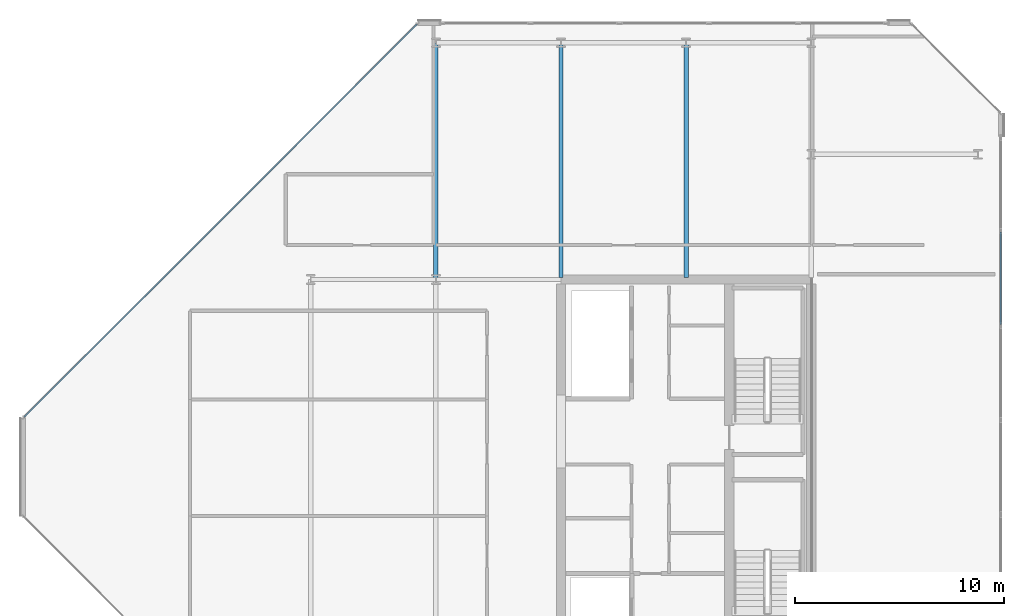
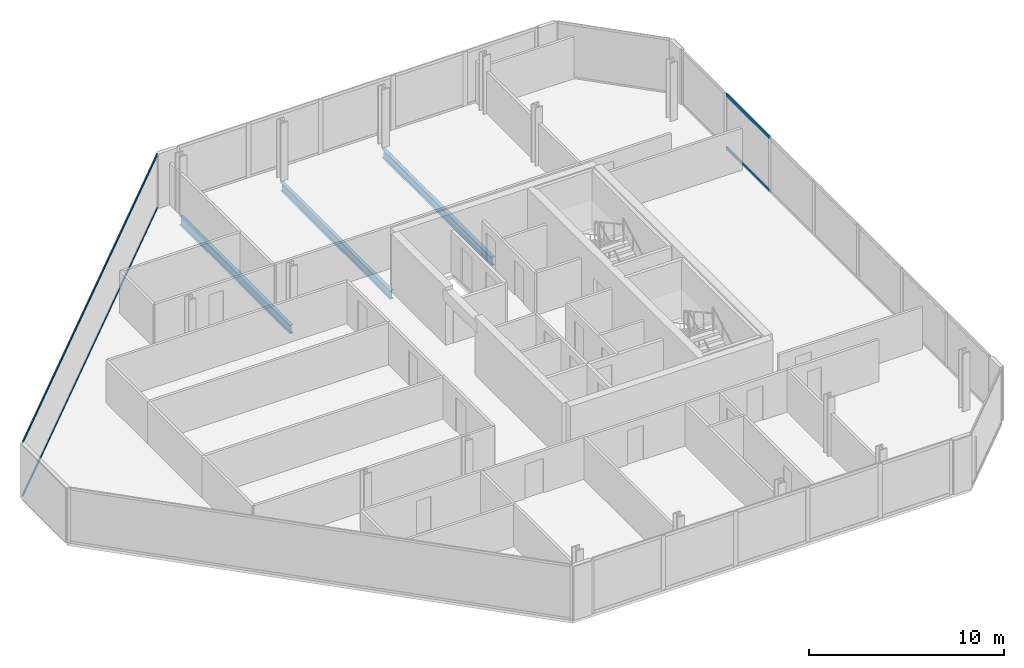
# One storey, part 9 of 17: 4 members, 3 beams, 2 elements without a shape of their own.
"""IFC4 building model written with IfcOpenShell, lengths in metres."""

from ifc_helpers import new_model, si_unit, direction, frame, origin, origin_2d, place, context, subcontext, project, spatial, hollow_rectangle, i_section, extrude, material, layer, layer_set, material_profile, profile_set, type_object, element, aggregate, save


model = new_model("IFC4")

# Units and contexts
model_context = context("Model", 3, precision=1e-05, world=origin(), true_north=direction((0.0, 1.0)))
body_context = subcontext(model_context, "Body", "Model", "MODEL_VIEW")
ifc_project = project(units=[si_unit("LENGTHUNIT", "METRE"), si_unit("AREAUNIT", "SQUARE_METRE"), si_unit("VOLUMEUNIT", "CUBIC_METRE"), si_unit("PLANEANGLEUNIT", "RADIAN"), si_unit("MASSUNIT", "GRAM", prefix="KILO")], contexts=[model_context])

# Site, building, storey
site_placement = place(None, origin())
site = spatial("IfcSite", under=ifc_project, at=site_placement, CompositionType="ELEMENT")
building_placement = place(site_placement, origin())
building = spatial("IfcBuilding", under=site, at=building_placement, Name="Tanjung Sevakor Pilgrim Tower", CompositionType="ELEMENT")
storey_placement = place(building_placement, frame((0.0, 0.0, 267.9599609375)))
storey = spatial("IfcBuildingStorey", under=building, at=storey_placement, Name="L75", CompositionType="ELEMENT", Elevation=267.9599609375)

# Beams
ifc_material_1 = material(Name="Steel S355J2", Category="steel")
ifc_material_profile_1 = material_profile(ifc_material_1, i_section(OverallWidth=0.210693359375, OverallDepth=0.53955078125, WebThickness=0.01171875, FlangeThickness=0.018798828125, FilletRadius=0.0126953125, at=origin_2d()))
ifc_profile_set_1 = profile_set([ifc_material_profile_1], Name="Steel S355J2")
beam_type = type_object("IfcBeamType", Name="BM-B-G6-UB_533x210x109", PredefinedType="BEAM", material=ifc_profile_set_1)
beam_placement = place(storey_placement, frame((72.0, 42.60009765625, -0.48974609375), z_axis=(0.0, 1.0, 0.0), x_axis=(-1.0, 0.0, 0.0)))
element("IfcBeam", 1, at=beam_placement, inside=storey, type_object=beam_type, Name="L75 EAST Girder 004", PredefinedType="BEAM", context=body_context, shape_type="SweptSolid", body=[
    extrude(i_section(OverallWidth=0.210693359375, OverallDepth=0.53955078125, WebThickness=0.01171875, FlangeThickness=0.018798828125, FilletRadius=0.0126953125, at=origin_2d()), origin(), (0.0, 0.0, 1.0), 11.349853515625),
])
for number, where, z_axis, x_axis, name in (
    (2, (78.0, 42.7060546875, -0.48974609375), (0.0, 1.0, 0.0), (-1.0, 0.0, 0.0), "L75 EAST Girder 006"),
    (3, (84.0, 42.7060546875, -0.48974609375), (0.0, 1.0, 0.0), (-1.0, 0.0, 0.0), "L75 EAST Girder 008"),
):
    element("IfcBeam", number, at=place(storey_placement, frame(where, z_axis=z_axis, x_axis=x_axis)), inside=storey, type_object=beam_type, Name=name, PredefinedType="BEAM", context=body_context, shape_type="SweptSolid", body=[
        extrude(i_section(OverallWidth=0.210693359375, OverallDepth=0.53955078125, WebThickness=0.01171875, FlangeThickness=0.018798828125, FilletRadius=0.0126953125, at=origin_2d()), origin(), (0.0, 0.0, 1.0), 11.243896484375),
    ])

# Curtain wall, members
ifc_material_2 = material(Name="Aluminium 6063-T6 and Low-E Glass", Category="aluminium")
ifc_layer_1 = layer(ifc_material_2, 0.179931640625)
ifc_layer_set_1 = layer_set([ifc_layer_1], Name="CW-SYS-CHAM")
curtain_wall_type_1 = type_object("IfcCurtainWallType", Name="CW-SYS-CHAM", PredefinedType="NOTDEFINED", material=ifc_layer_set_1)
curtain_wall_1_placement = place(storey_placement, origin())
curtain_wall_1 = element("IfcCurtainWall", 4, at=curtain_wall_1_placement, inside=storey, type_object=curtain_wall_type_1, Name="L75 Curtain Wall CW-CHM-L75-EAST-5", PredefinedType="NOTDEFINED")
ifc_material_3 = material(Name="Aluminium 6063-T6", Category="aluminium")
ifc_material_profile_2 = material_profile(ifc_material_3, hollow_rectangle(XDim=0.06494140625, YDim=0.139892578125, WallThickness=0.00390625, at=origin_2d()))
ifc_profile_set_2 = profile_set([ifc_material_profile_2], Name="Aluminium 6063-T6")
member_type_1 = type_object("IfcMemberType", Name="TYPE-CWT-1", PredefinedType="USERDEFINED", material=ifc_profile_set_2)
member_1_placement = place(storey_placement, frame((71.099609375, 54.843994140625, 0.032470703125), z_axis=(-0.707106781187, -0.707106781187, 0.0), x_axis=(0.707106781187, -0.707106781187, 0.0)))
member_1 = element("IfcMember", 5, at=member_1_placement, type_object=member_type_1, Name="CW-CHM transom 1.1", ObjectType="TRANSOM", PredefinedType="USERDEFINED", context=body_context, shape_type="SweptSolid", body=[
    extrude(hollow_rectangle(XDim=0.06494140625, YDim=0.139892578125, WallThickness=0.00390625, at=origin_2d()), origin(), (0.0, 0.0, 1.0), 26.649169921875),
])
member_2_placement = place(storey_placement, frame((71.099609375, 54.843994140625, 3.37744140625), z_axis=(-0.707106781187, -0.707106781187, 0.0), x_axis=(0.707106781187, -0.707106781187, 0.0)))
member_2 = element("IfcMember", 6, at=member_2_placement, type_object=member_type_1, Name="CW-CHM transom 1.2", ObjectType="TRANSOM", PredefinedType="USERDEFINED", context=body_context, shape_type="SweptSolid", body=[
    extrude(hollow_rectangle(XDim=0.06494140625, YDim=0.139892578125, WallThickness=0.00390625, at=origin_2d()), origin(), (0.0, 0.0, 1.0), 26.649169921875),
])
aggregate(curtain_wall_1, [member_1, member_2])

ifc_material_4 = material(Name="Aluminium 6063-T6 and Low-E Glass", Category="aluminium")
ifc_layer_2 = layer(ifc_material_4, 0.219970703125)
ifc_layer_set_2 = layer_set([ifc_layer_2], Name="CW-SYS-CRNE")
curtain_wall_type_2 = type_object("IfcCurtainWallType", Name="CW-SYS-CRNE", PredefinedType="NOTDEFINED", material=ifc_layer_set_2)
curtain_wall_2_placement = place(storey_placement, origin())
curtain_wall_2 = element("IfcCurtainWall", 7, at=curtain_wall_2_placement, inside=storey, type_object=curtain_wall_type_2, Name="L75 Curtain Wall CW-CRN-L75-EAST-2-1", PredefinedType="NOTDEFINED")
ifc_material_5 = material(Name="Aluminium 6063-T6", Category="aluminium")
ifc_material_profile_3 = material_profile(ifc_material_5, hollow_rectangle(XDim=0.080078125, YDim=0.179931640625, WallThickness=0.0048828125, at=origin_2d()))
ifc_profile_set_3 = profile_set([ifc_material_profile_3], Name="Aluminium 6063-T6")
member_type_2 = type_object("IfcMemberType", Name="TYPE-CWT-3", PredefinedType="USERDEFINED", material=ifc_profile_set_3)
member_3_placement = place(storey_placement, frame((99.090087890625, 40.434814453125, 0.0400390625), z_axis=(0.0, 1.0, 0.0), x_axis=(-1.0, 0.0, 0.0)))
member_3 = element("IfcMember", 8, at=member_3_placement, type_object=member_type_2, Name="CW-CRE transom 6.1", ObjectType="TRANSOM", PredefinedType="USERDEFINED", context=body_context, shape_type="SweptSolid", body=[
    extrude(hollow_rectangle(XDim=0.080078125, YDim=0.179931640625, WallThickness=0.0048828125, at=origin_2d()), origin(), (0.0, 0.0, 1.0), 4.44970703125),
])
member_4_placement = place(storey_placement, frame((99.090087890625, 40.434814453125, 3.3701171875), z_axis=(0.0, 1.0, 0.0), x_axis=(-1.0, 0.0, 0.0)))
member_4 = element("IfcMember", 9, at=member_4_placement, type_object=member_type_2, Name="CW-CRE transom 6.2", ObjectType="TRANSOM", PredefinedType="USERDEFINED", context=body_context, shape_type="SweptSolid", body=[
    extrude(hollow_rectangle(XDim=0.080078125, YDim=0.179931640625, WallThickness=0.0048828125, at=origin_2d()), origin(), (0.0, 0.0, 1.0), 4.44970703125),
])
aggregate(curtain_wall_2, [member_3, member_4])

save(model, "model.ifc")
